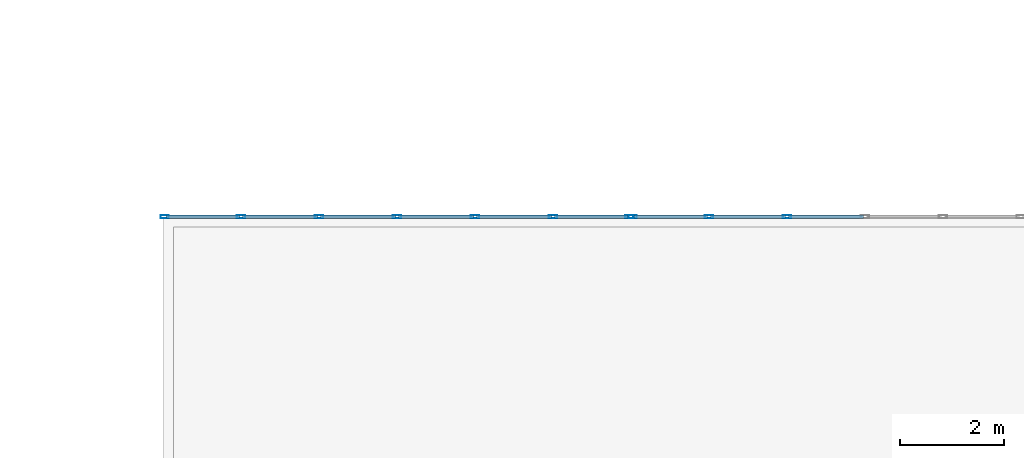
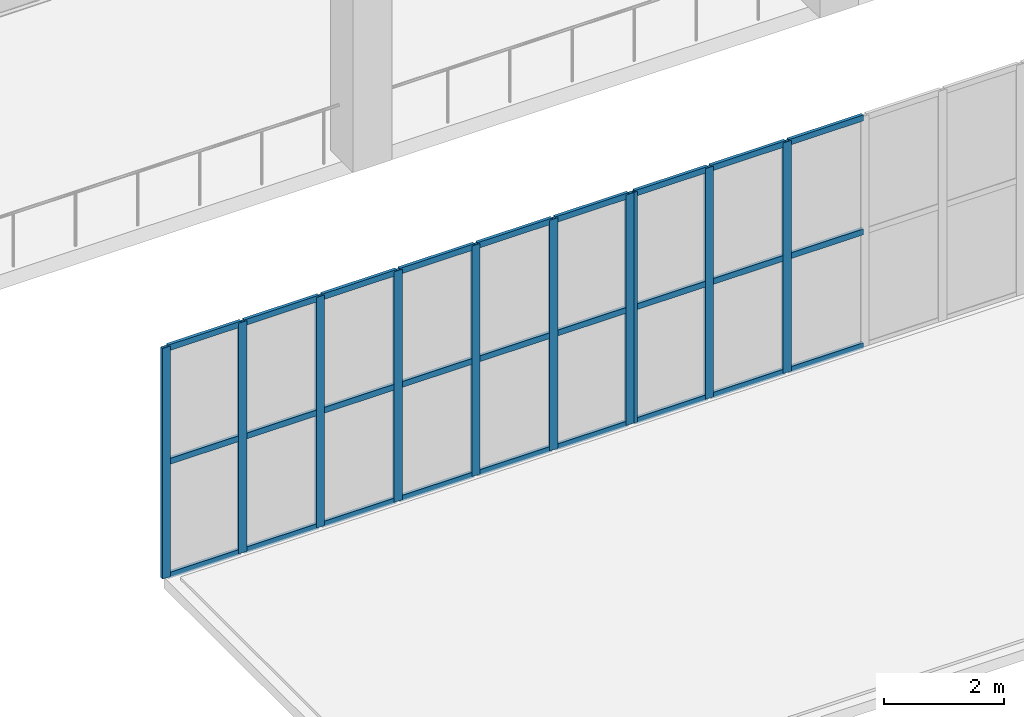
# One storey, part 8 of 223: 37 members, 2 elements without a shape of their own.
"""IFC4 building model written with IfcOpenShell, lengths in metres."""

from ifc_helpers import new_model, si_unit, direction, frame, origin, origin_2d, place, context, subcontext, project, spatial, hollow_rectangle, extrude, material, layer, layer_set, material_profile, profile_set, type_object, element, aggregate, save


model = new_model("IFC4")

# Units and contexts
model_context = context("Model", 3, precision=1e-05, world=origin(), true_north=direction((0.0, 1.0)))
body_context = subcontext(model_context, "Body", "Model", "MODEL_VIEW")
ifc_project = project(units=[si_unit("LENGTHUNIT", "METRE"), si_unit("AREAUNIT", "SQUARE_METRE"), si_unit("VOLUMEUNIT", "CUBIC_METRE"), si_unit("PLANEANGLEUNIT", "RADIAN"), si_unit("MASSUNIT", "GRAM", prefix="KILO")], contexts=[model_context])

# Site, building, storey
site_placement = place(None, origin())
site = spatial("IfcSite", under=ifc_project, at=site_placement, CompositionType="ELEMENT")
building_placement = place(site_placement, origin())
building = spatial("IfcBuilding", under=site, at=building_placement, Name="Dornveld Trade and Exhibition Forum", CompositionType="ELEMENT")
storey_placement = place(building_placement, frame((0.0, 0.0, 6.0)))
storey = spatial("IfcBuildingStorey", under=building, at=storey_placement, Name="L01", CompositionType="ELEMENT", Elevation=6.0)

# Curtain wall, members
ifc_material_1 = material(Name="Dark-bronze anodised aluminium and low-E glass", Category="aluminium")
ifc_layer_1 = layer(ifc_material_1, 0.1630859375)
ifc_layer_set_1 = layer_set([ifc_layer_1], Name="Dark-bronze anodised aluminium and low-E glass")
curtain_wall_type_1 = type_object("IfcCurtainWallType", Name="CW-SYS-07", PredefinedType="USERDEFINED", material=ifc_layer_set_1)
curtain_wall_1_placement = place(storey_placement, origin())
curtain_wall_1 = element("IfcCurtainWall", 1, at=curtain_wall_1_placement, inside=storey, type_object=curtain_wall_type_1, Name="L01 unitised curtain wall 43", ObjectType="UNITISED_CURTAIN_WALL", PredefinedType="USERDEFINED")
ifc_material_2 = material(Name="Dark-bronze anodised aluminium", Category="aluminium")
ifc_material_profile_1 = material_profile(ifc_material_2, hollow_rectangle(XDim=0.06005859375, YDim=0.159912109375, WallThickness=0.00390625, at=origin_2d()), Name="RHS 160x60x4")
ifc_profile_set_1 = profile_set([ifc_material_profile_1], Name="Dark-bronze anodised aluminium")
member_type_1 = type_object("IfcMemberType", Name="CW-MUL-160", PredefinedType="MULLION", material=ifc_profile_set_1)
member_1_placement = place(storey_placement, frame((99.030029296875, 18.0, -0.00390625), z_axis=(0.0, 0.0, 1.0), x_axis=(0.0, 1.0, 0.0)))
member_1 = element("IfcMember", 2, at=member_1_placement, type_object=member_type_1, Name="CW-07 mullion 1", PredefinedType="MULLION", context=body_context, shape_type="SweptSolid", body=[
    extrude(hollow_rectangle(XDim=0.06005859375, YDim=0.159912109375, WallThickness=0.00390625, at=origin_2d()), origin(), (0.0, 0.0, 1.0), 4.703857421875),
])
member_2_placement = place(storey_placement, frame((100.5, 18.0, -0.00390625), z_axis=(0.0, 0.0, 1.0), x_axis=(0.0, 1.0, 0.0)))
member_2 = element("IfcMember", 3, at=member_2_placement, type_object=member_type_1, Name="CW-07 mullion 2", PredefinedType="MULLION", context=body_context, shape_type="SweptSolid", body=[
    extrude(hollow_rectangle(XDim=0.06005859375, YDim=0.159912109375, WallThickness=0.00390625, at=origin_2d()), origin(), (0.0, 0.0, 1.0), 4.703857421875),
])
member_3_placement = place(storey_placement, frame((102.0, 18.0, -0.00390625), z_axis=(0.0, 0.0, 1.0), x_axis=(0.0, 1.0, 0.0)))
member_3 = element("IfcMember", 4, at=member_3_placement, type_object=member_type_1, Name="CW-07 mullion 3", PredefinedType="MULLION", context=body_context, shape_type="SweptSolid", body=[
    extrude(hollow_rectangle(XDim=0.06005859375, YDim=0.159912109375, WallThickness=0.00390625, at=origin_2d()), origin(), (0.0, 0.0, 1.0), 4.703857421875),
])
member_4_placement = place(storey_placement, frame((103.5, 18.0, -0.00390625), z_axis=(0.0, 0.0, 1.0), x_axis=(0.0, 1.0, 0.0)))
member_4 = element("IfcMember", 5, at=member_4_placement, type_object=member_type_1, Name="CW-07 mullion 4", PredefinedType="MULLION", context=body_context, shape_type="SweptSolid", body=[
    extrude(hollow_rectangle(XDim=0.06005859375, YDim=0.159912109375, WallThickness=0.00390625, at=origin_2d()), origin(), (0.0, 0.0, 1.0), 4.703857421875),
])
member_5_placement = place(storey_placement, frame((105.0, 18.0, -0.00390625), z_axis=(0.0, 0.0, 1.0), x_axis=(0.0, 1.0, 0.0)))
member_5 = element("IfcMember", 6, at=member_5_placement, type_object=member_type_1, Name="CW-07 mullion 5", PredefinedType="MULLION", context=body_context, shape_type="SweptSolid", body=[
    extrude(hollow_rectangle(XDim=0.06005859375, YDim=0.159912109375, WallThickness=0.00390625, at=origin_2d()), origin(), (0.0, 0.0, 1.0), 4.703857421875),
])
member_6_placement = place(storey_placement, frame((106.5, 18.0, -0.00390625), z_axis=(0.0, 0.0, 1.0), x_axis=(0.0, 1.0, 0.0)))
member_6 = element("IfcMember", 7, at=member_6_placement, type_object=member_type_1, Name="CW-07 mullion 6", PredefinedType="MULLION", context=body_context, shape_type="SweptSolid", body=[
    extrude(hollow_rectangle(XDim=0.06005859375, YDim=0.159912109375, WallThickness=0.00390625, at=origin_2d()), origin(), (0.0, 0.0, 1.0), 4.703857421875),
])
member_7_placement = place(storey_placement, frame((107.969970703125, 18.0, -0.00390625), z_axis=(0.0, 0.0, 1.0), x_axis=(0.0, 1.0, 0.0)))
member_7 = element("IfcMember", 8, at=member_7_placement, type_object=member_type_1, Name="CW-07 mullion 7", PredefinedType="MULLION", context=body_context, shape_type="SweptSolid", body=[
    extrude(hollow_rectangle(XDim=0.06005859375, YDim=0.159912109375, WallThickness=0.00390625, at=origin_2d()), origin(), (0.0, 0.0, 1.0), 4.703857421875),
])

ifc_material_3 = material(Name="Dark-bronze anodised aluminium and low-E glass", Category="aluminium")
ifc_layer_2 = layer(ifc_material_3, 0.166015625)
ifc_layer_set_2 = layer_set([ifc_layer_2], Name="Dark-bronze anodised aluminium and low-E glass")
curtain_wall_type_2 = type_object("IfcCurtainWallType", Name="CW-SYS-08", PredefinedType="USERDEFINED", material=ifc_layer_set_2)
curtain_wall_2_placement = place(storey_placement, origin())
curtain_wall_2 = element("IfcCurtainWall", 9, at=curtain_wall_2_placement, inside=storey, type_object=curtain_wall_type_2, Name="L01 unitised curtain wall 44", ObjectType="UNITISED_CURTAIN_WALL", PredefinedType="USERDEFINED")
member_8_placement = place(storey_placement, frame((108.030029296875, 18.0, -0.00390625), z_axis=(0.0, 0.0, 1.0), x_axis=(0.0, 1.0, 0.0)))
member_8 = element("IfcMember", 10, at=member_8_placement, type_object=member_type_1, Name="CW-08 mullion 1", PredefinedType="MULLION", context=body_context, shape_type="SweptSolid", body=[
    extrude(hollow_rectangle(XDim=0.06005859375, YDim=0.159912109375, WallThickness=0.00390625, at=origin_2d()), origin(), (0.0, 0.0, 1.0), 4.703857421875),
])
member_9_placement = place(storey_placement, frame((109.5, 18.0, -0.00390625), z_axis=(0.0, 0.0, 1.0), x_axis=(0.0, 1.0, 0.0)))
member_9 = element("IfcMember", 11, at=member_9_placement, type_object=member_type_1, Name="CW-08 mullion 2", PredefinedType="MULLION", context=body_context, shape_type="SweptSolid", body=[
    extrude(hollow_rectangle(XDim=0.06005859375, YDim=0.159912109375, WallThickness=0.00390625, at=origin_2d()), origin(), (0.0, 0.0, 1.0), 4.703857421875),
])
member_10_placement = place(storey_placement, frame((111.0, 18.0, -0.00390625), z_axis=(0.0, 0.0, 1.0), x_axis=(0.0, 1.0, 0.0)))
member_10 = element("IfcMember", 12, at=member_10_placement, type_object=member_type_1, Name="CW-08 mullion 3", PredefinedType="MULLION", context=body_context, shape_type="SweptSolid", body=[
    extrude(hollow_rectangle(XDim=0.06005859375, YDim=0.159912109375, WallThickness=0.00390625, at=origin_2d()), origin(), (0.0, 0.0, 1.0), 4.703857421875),
])

# Member
ifc_material_4 = material(Name="Dark-bronze anodised aluminium", Category="aluminium")
ifc_material_profile_2 = material_profile(ifc_material_4, hollow_rectangle(XDim=0.06005859375, YDim=0.1201171875, WallThickness=0.00390625, at=origin_2d()), Name="RHS 120x60x4")
ifc_profile_set_2 = profile_set([ifc_material_profile_2], Name="Dark-bronze anodised aluminium")
member_type_2 = type_object("IfcMemberType", Name="CW-TRN-120", PredefinedType="USERDEFINED", material=ifc_profile_set_2)
member_11_placement = place(storey_placement, frame((99.06005859375, 18.0, 0.02587890625), z_axis=(1.0, 0.0, 0.0), x_axis=(0.0, 1.0, 0.0)))
member_11 = element("IfcMember", 13, at=member_11_placement, type_object=member_type_2, Name="CW-07 transom 1.1", ObjectType="TRANSOM", PredefinedType="USERDEFINED", context=body_context, shape_type="SweptSolid", body=[
    extrude(hollow_rectangle(XDim=0.06005859375, YDim=0.1201171875, WallThickness=0.00390625, at=origin_2d()), origin(), (0.0, 0.0, 1.0), 1.409912109375),
])

member_12_placement = place(storey_placement, frame((99.06005859375, 18.0, 2.347900390625), z_axis=(1.0, 0.0, 0.0), x_axis=(0.0, 1.0, 0.0)))
member_12 = element("IfcMember", 14, at=member_12_placement, type_object=member_type_2, Name="CW-07 transom 1.2", ObjectType="TRANSOM", PredefinedType="USERDEFINED", context=body_context, shape_type="SweptSolid", body=[
    extrude(hollow_rectangle(XDim=0.06005859375, YDim=0.1201171875, WallThickness=0.00390625, at=origin_2d()), origin(), (0.0, 0.0, 1.0), 1.409912109375),
])

member_13_placement = place(storey_placement, frame((99.06005859375, 18.0, 4.669921875), z_axis=(1.0, 0.0, 0.0), x_axis=(0.0, 1.0, 0.0)))
member_13 = element("IfcMember", 15, at=member_13_placement, type_object=member_type_2, Name="CW-07 transom 1.3", ObjectType="TRANSOM", PredefinedType="USERDEFINED", context=body_context, shape_type="SweptSolid", body=[
    extrude(hollow_rectangle(XDim=0.06005859375, YDim=0.1201171875, WallThickness=0.00390625, at=origin_2d()), origin(), (0.0, 0.0, 1.0), 1.409912109375),
])

member_14_placement = place(storey_placement, frame((100.530029296875, 18.0, 0.02587890625), z_axis=(1.0, 0.0, 0.0), x_axis=(0.0, 1.0, 0.0)))
member_14 = element("IfcMember", 16, at=member_14_placement, type_object=member_type_2, Name="CW-07 transom 2.1", ObjectType="TRANSOM", PredefinedType="USERDEFINED", context=body_context, shape_type="SweptSolid", body=[
    extrude(hollow_rectangle(XDim=0.06005859375, YDim=0.1201171875, WallThickness=0.00390625, at=origin_2d()), origin(), (0.0, 0.0, 1.0), 1.43994140625),
])

member_15_placement = place(storey_placement, frame((100.530029296875, 18.0, 2.347900390625), z_axis=(1.0, 0.0, 0.0), x_axis=(0.0, 1.0, 0.0)))
member_15 = element("IfcMember", 17, at=member_15_placement, type_object=member_type_2, Name="CW-07 transom 2.2", ObjectType="TRANSOM", PredefinedType="USERDEFINED", context=body_context, shape_type="SweptSolid", body=[
    extrude(hollow_rectangle(XDim=0.06005859375, YDim=0.1201171875, WallThickness=0.00390625, at=origin_2d()), origin(), (0.0, 0.0, 1.0), 1.43994140625),
])

member_16_placement = place(storey_placement, frame((100.530029296875, 18.0, 4.669921875), z_axis=(1.0, 0.0, 0.0), x_axis=(0.0, 1.0, 0.0)))
member_16 = element("IfcMember", 18, at=member_16_placement, type_object=member_type_2, Name="CW-07 transom 2.3", ObjectType="TRANSOM", PredefinedType="USERDEFINED", context=body_context, shape_type="SweptSolid", body=[
    extrude(hollow_rectangle(XDim=0.06005859375, YDim=0.1201171875, WallThickness=0.00390625, at=origin_2d()), origin(), (0.0, 0.0, 1.0), 1.43994140625),
])

member_17_placement = place(storey_placement, frame((102.030029296875, 18.0, 0.02587890625), z_axis=(1.0, 0.0, 0.0), x_axis=(0.0, 1.0, 0.0)))
member_17 = element("IfcMember", 19, at=member_17_placement, type_object=member_type_2, Name="CW-07 transom 3.1", ObjectType="TRANSOM", PredefinedType="USERDEFINED", context=body_context, shape_type="SweptSolid", body=[
    extrude(hollow_rectangle(XDim=0.06005859375, YDim=0.1201171875, WallThickness=0.00390625, at=origin_2d()), origin(), (0.0, 0.0, 1.0), 1.43994140625),
])

member_18_placement = place(storey_placement, frame((102.030029296875, 18.0, 2.347900390625), z_axis=(1.0, 0.0, 0.0), x_axis=(0.0, 1.0, 0.0)))
member_18 = element("IfcMember", 20, at=member_18_placement, type_object=member_type_2, Name="CW-07 transom 3.2", ObjectType="TRANSOM", PredefinedType="USERDEFINED", context=body_context, shape_type="SweptSolid", body=[
    extrude(hollow_rectangle(XDim=0.06005859375, YDim=0.1201171875, WallThickness=0.00390625, at=origin_2d()), origin(), (0.0, 0.0, 1.0), 1.43994140625),
])

member_19_placement = place(storey_placement, frame((102.030029296875, 18.0, 4.669921875), z_axis=(1.0, 0.0, 0.0), x_axis=(0.0, 1.0, 0.0)))
member_19 = element("IfcMember", 21, at=member_19_placement, type_object=member_type_2, Name="CW-07 transom 3.3", ObjectType="TRANSOM", PredefinedType="USERDEFINED", context=body_context, shape_type="SweptSolid", body=[
    extrude(hollow_rectangle(XDim=0.06005859375, YDim=0.1201171875, WallThickness=0.00390625, at=origin_2d()), origin(), (0.0, 0.0, 1.0), 1.43994140625),
])

member_20_placement = place(storey_placement, frame((103.530029296875, 18.0, 0.02587890625), z_axis=(1.0, 0.0, 0.0), x_axis=(0.0, 1.0, 0.0)))
member_20 = element("IfcMember", 22, at=member_20_placement, type_object=member_type_2, Name="CW-07 transom 4.1", ObjectType="TRANSOM", PredefinedType="USERDEFINED", context=body_context, shape_type="SweptSolid", body=[
    extrude(hollow_rectangle(XDim=0.06005859375, YDim=0.1201171875, WallThickness=0.00390625, at=origin_2d()), origin(), (0.0, 0.0, 1.0), 1.43994140625),
])

member_21_placement = place(storey_placement, frame((103.530029296875, 18.0, 2.347900390625), z_axis=(1.0, 0.0, 0.0), x_axis=(0.0, 1.0, 0.0)))
member_21 = element("IfcMember", 23, at=member_21_placement, type_object=member_type_2, Name="CW-07 transom 4.2", ObjectType="TRANSOM", PredefinedType="USERDEFINED", context=body_context, shape_type="SweptSolid", body=[
    extrude(hollow_rectangle(XDim=0.06005859375, YDim=0.1201171875, WallThickness=0.00390625, at=origin_2d()), origin(), (0.0, 0.0, 1.0), 1.43994140625),
])

member_22_placement = place(storey_placement, frame((103.530029296875, 18.0, 4.669921875), z_axis=(1.0, 0.0, 0.0), x_axis=(0.0, 1.0, 0.0)))
member_22 = element("IfcMember", 24, at=member_22_placement, type_object=member_type_2, Name="CW-07 transom 4.3", ObjectType="TRANSOM", PredefinedType="USERDEFINED", context=body_context, shape_type="SweptSolid", body=[
    extrude(hollow_rectangle(XDim=0.06005859375, YDim=0.1201171875, WallThickness=0.00390625, at=origin_2d()), origin(), (0.0, 0.0, 1.0), 1.43994140625),
])

member_23_placement = place(storey_placement, frame((105.030029296875, 18.0, 0.02587890625), z_axis=(1.0, 0.0, 0.0), x_axis=(0.0, 1.0, 0.0)))
member_23 = element("IfcMember", 25, at=member_23_placement, type_object=member_type_2, Name="CW-07 transom 5.1", ObjectType="TRANSOM", PredefinedType="USERDEFINED", context=body_context, shape_type="SweptSolid", body=[
    extrude(hollow_rectangle(XDim=0.06005859375, YDim=0.1201171875, WallThickness=0.00390625, at=origin_2d()), origin(), (0.0, 0.0, 1.0), 1.43994140625),
])

member_24_placement = place(storey_placement, frame((105.030029296875, 18.0, 2.347900390625), z_axis=(1.0, 0.0, 0.0), x_axis=(0.0, 1.0, 0.0)))
member_24 = element("IfcMember", 26, at=member_24_placement, type_object=member_type_2, Name="CW-07 transom 5.2", ObjectType="TRANSOM", PredefinedType="USERDEFINED", context=body_context, shape_type="SweptSolid", body=[
    extrude(hollow_rectangle(XDim=0.06005859375, YDim=0.1201171875, WallThickness=0.00390625, at=origin_2d()), origin(), (0.0, 0.0, 1.0), 1.43994140625),
])

member_25_placement = place(storey_placement, frame((105.030029296875, 18.0, 4.669921875), z_axis=(1.0, 0.0, 0.0), x_axis=(0.0, 1.0, 0.0)))
member_25 = element("IfcMember", 27, at=member_25_placement, type_object=member_type_2, Name="CW-07 transom 5.3", ObjectType="TRANSOM", PredefinedType="USERDEFINED", context=body_context, shape_type="SweptSolid", body=[
    extrude(hollow_rectangle(XDim=0.06005859375, YDim=0.1201171875, WallThickness=0.00390625, at=origin_2d()), origin(), (0.0, 0.0, 1.0), 1.43994140625),
])

member_26_placement = place(storey_placement, frame((106.530029296875, 18.0, 0.02587890625), z_axis=(1.0, 0.0, 0.0), x_axis=(0.0, 1.0, 0.0)))
member_26 = element("IfcMember", 28, at=member_26_placement, type_object=member_type_2, Name="CW-07 transom 6.1", ObjectType="TRANSOM", PredefinedType="USERDEFINED", context=body_context, shape_type="SweptSolid", body=[
    extrude(hollow_rectangle(XDim=0.06005859375, YDim=0.1201171875, WallThickness=0.00390625, at=origin_2d()), origin(), (0.0, 0.0, 1.0), 1.409912109375),
])

member_27_placement = place(storey_placement, frame((106.530029296875, 18.0, 2.347900390625), z_axis=(1.0, 0.0, 0.0), x_axis=(0.0, 1.0, 0.0)))
member_27 = element("IfcMember", 29, at=member_27_placement, type_object=member_type_2, Name="CW-07 transom 6.2", ObjectType="TRANSOM", PredefinedType="USERDEFINED", context=body_context, shape_type="SweptSolid", body=[
    extrude(hollow_rectangle(XDim=0.06005859375, YDim=0.1201171875, WallThickness=0.00390625, at=origin_2d()), origin(), (0.0, 0.0, 1.0), 1.409912109375),
])

member_28_placement = place(storey_placement, frame((106.530029296875, 18.0, 4.669921875), z_axis=(1.0, 0.0, 0.0), x_axis=(0.0, 1.0, 0.0)))
member_28 = element("IfcMember", 30, at=member_28_placement, type_object=member_type_2, Name="CW-07 transom 6.3", ObjectType="TRANSOM", PredefinedType="USERDEFINED", context=body_context, shape_type="SweptSolid", body=[
    extrude(hollow_rectangle(XDim=0.06005859375, YDim=0.1201171875, WallThickness=0.00390625, at=origin_2d()), origin(), (0.0, 0.0, 1.0), 1.409912109375),
])

aggregate(curtain_wall_1, [member_1, member_2, member_3, member_4, member_5, member_6, member_7, member_11, member_12, member_13, member_14, member_15, member_16, member_17, member_18, member_19, member_20, member_21, member_22, member_23, member_24, member_25, member_26, member_27, member_28])

member_29_placement = place(storey_placement, frame((108.06005859375, 18.0, 0.02587890625), z_axis=(1.0, 0.0, 0.0), x_axis=(0.0, 1.0, 0.0)))
member_29 = element("IfcMember", 31, at=member_29_placement, type_object=member_type_2, Name="CW-08 transom 1.1", ObjectType="TRANSOM", PredefinedType="USERDEFINED", context=body_context, shape_type="SweptSolid", body=[
    extrude(hollow_rectangle(XDim=0.06005859375, YDim=0.1201171875, WallThickness=0.00390625, at=origin_2d()), origin(), (0.0, 0.0, 1.0), 1.409912109375),
])

member_30_placement = place(storey_placement, frame((108.06005859375, 18.0, 2.347900390625), z_axis=(1.0, 0.0, 0.0), x_axis=(0.0, 1.0, 0.0)))
member_30 = element("IfcMember", 32, at=member_30_placement, type_object=member_type_2, Name="CW-08 transom 1.2", ObjectType="TRANSOM", PredefinedType="USERDEFINED", context=body_context, shape_type="SweptSolid", body=[
    extrude(hollow_rectangle(XDim=0.06005859375, YDim=0.1201171875, WallThickness=0.00390625, at=origin_2d()), origin(), (0.0, 0.0, 1.0), 1.409912109375),
])

member_31_placement = place(storey_placement, frame((108.06005859375, 18.0, 4.669921875), z_axis=(1.0, 0.0, 0.0), x_axis=(0.0, 1.0, 0.0)))
member_31 = element("IfcMember", 33, at=member_31_placement, type_object=member_type_2, Name="CW-08 transom 1.3", ObjectType="TRANSOM", PredefinedType="USERDEFINED", context=body_context, shape_type="SweptSolid", body=[
    extrude(hollow_rectangle(XDim=0.06005859375, YDim=0.1201171875, WallThickness=0.00390625, at=origin_2d()), origin(), (0.0, 0.0, 1.0), 1.409912109375),
])

member_32_placement = place(storey_placement, frame((109.530029296875, 18.0, 0.02587890625), z_axis=(1.0, 0.0, 0.0), x_axis=(0.0, 1.0, 0.0)))
member_32 = element("IfcMember", 34, at=member_32_placement, type_object=member_type_2, Name="CW-08 transom 2.1", ObjectType="TRANSOM", PredefinedType="USERDEFINED", context=body_context, shape_type="SweptSolid", body=[
    extrude(hollow_rectangle(XDim=0.06005859375, YDim=0.1201171875, WallThickness=0.00390625, at=origin_2d()), origin(), (0.0, 0.0, 1.0), 1.43994140625),
])

member_33_placement = place(storey_placement, frame((109.530029296875, 18.0, 2.347900390625), z_axis=(1.0, 0.0, 0.0), x_axis=(0.0, 1.0, 0.0)))
member_33 = element("IfcMember", 35, at=member_33_placement, type_object=member_type_2, Name="CW-08 transom 2.2", ObjectType="TRANSOM", PredefinedType="USERDEFINED", context=body_context, shape_type="SweptSolid", body=[
    extrude(hollow_rectangle(XDim=0.06005859375, YDim=0.1201171875, WallThickness=0.00390625, at=origin_2d()), origin(), (0.0, 0.0, 1.0), 1.43994140625),
])

member_34_placement = place(storey_placement, frame((109.530029296875, 18.0, 4.669921875), z_axis=(1.0, 0.0, 0.0), x_axis=(0.0, 1.0, 0.0)))
member_34 = element("IfcMember", 36, at=member_34_placement, type_object=member_type_2, Name="CW-08 transom 2.3", ObjectType="TRANSOM", PredefinedType="USERDEFINED", context=body_context, shape_type="SweptSolid", body=[
    extrude(hollow_rectangle(XDim=0.06005859375, YDim=0.1201171875, WallThickness=0.00390625, at=origin_2d()), origin(), (0.0, 0.0, 1.0), 1.43994140625),
])

member_35_placement = place(storey_placement, frame((111.030029296875, 18.0, 0.02587890625), z_axis=(1.0, 0.0, 0.0), x_axis=(0.0, 1.0, 0.0)))
member_35 = element("IfcMember", 37, at=member_35_placement, type_object=member_type_2, Name="CW-08 transom 3.1", ObjectType="TRANSOM", PredefinedType="USERDEFINED", context=body_context, shape_type="SweptSolid", body=[
    extrude(hollow_rectangle(XDim=0.06005859375, YDim=0.1201171875, WallThickness=0.00390625, at=origin_2d()), origin(), (0.0, 0.0, 1.0), 1.43994140625),
])

member_36_placement = place(storey_placement, frame((111.030029296875, 18.0, 2.347900390625), z_axis=(1.0, 0.0, 0.0), x_axis=(0.0, 1.0, 0.0)))
member_36 = element("IfcMember", 38, at=member_36_placement, type_object=member_type_2, Name="CW-08 transom 3.2", ObjectType="TRANSOM", PredefinedType="USERDEFINED", context=body_context, shape_type="SweptSolid", body=[
    extrude(hollow_rectangle(XDim=0.06005859375, YDim=0.1201171875, WallThickness=0.00390625, at=origin_2d()), origin(), (0.0, 0.0, 1.0), 1.43994140625),
])

member_37_placement = place(storey_placement, frame((111.030029296875, 18.0, 4.669921875), z_axis=(1.0, 0.0, 0.0), x_axis=(0.0, 1.0, 0.0)))
member_37 = element("IfcMember", 39, at=member_37_placement, type_object=member_type_2, Name="CW-08 transom 3.3", ObjectType="TRANSOM", PredefinedType="USERDEFINED", context=body_context, shape_type="SweptSolid", body=[
    extrude(hollow_rectangle(XDim=0.06005859375, YDim=0.1201171875, WallThickness=0.00390625, at=origin_2d()), origin(), (0.0, 0.0, 1.0), 1.43994140625),
])

aggregate(curtain_wall_2, [member_8, member_9, member_10, member_29, member_30, member_31, member_32, member_33, member_34, member_35, member_36, member_37])

save(model, "model.ifc")
